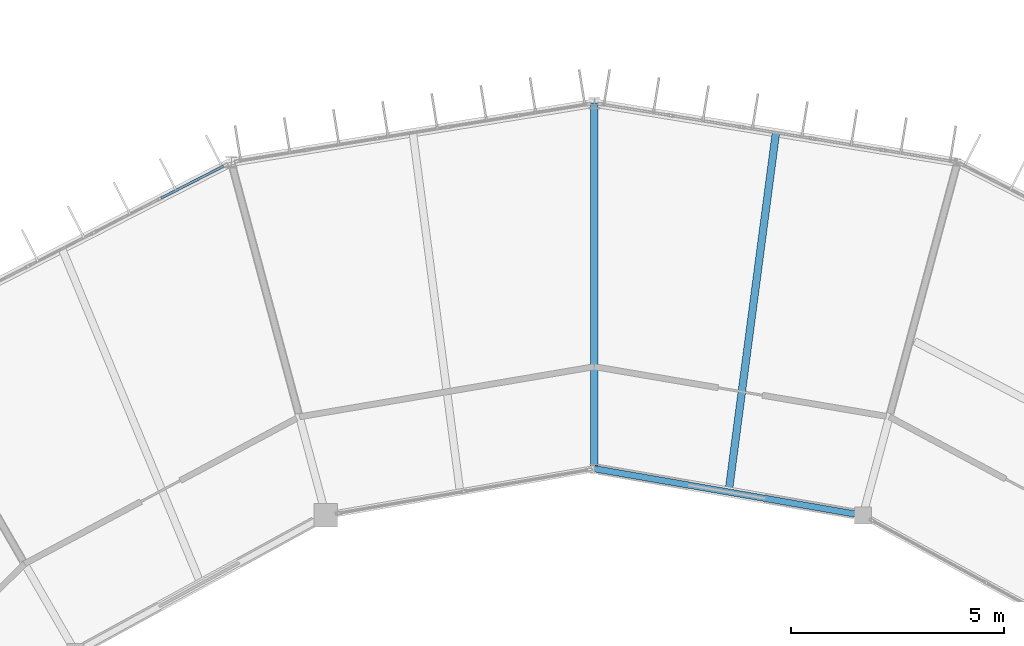
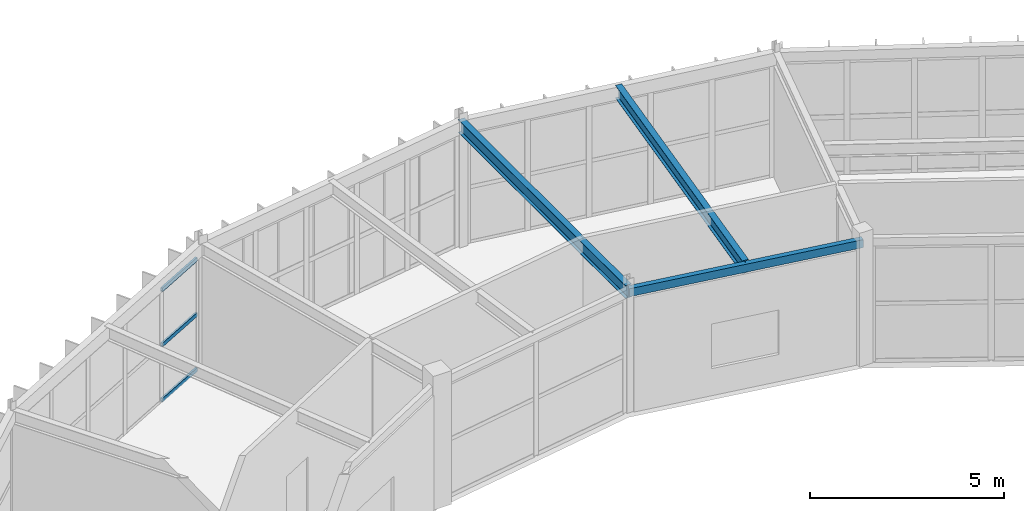
# One storey, part 63 of 106: 3 beams, 3 members, 1 element without a shape of its own.
"""IFC4 building model written with IfcOpenShell, lengths in metres."""

from ifc_helpers import new_model, si_unit, direction, frame, origin, origin_2d, place, context, subcontext, project, spatial, hollow_rectangle, i_section, extrude, material, material_profile, profile_set, type_object, element, aggregate, save


model = new_model("IFC4")

# Units and contexts
model_context = context("Model", 3, precision=1e-05, world=origin(), true_north=direction((0.0, 1.0)))
body_context = subcontext(model_context, "Body", "Model", "MODEL_VIEW")
ifc_project = project(units=[si_unit("LENGTHUNIT", "METRE"), si_unit("AREAUNIT", "SQUARE_METRE"), si_unit("VOLUMEUNIT", "CUBIC_METRE"), si_unit("PLANEANGLEUNIT", "RADIAN"), si_unit("MASSUNIT", "GRAM", prefix="KILO")], contexts=[model_context])

# Site, building, storey
site_placement = place(None, origin())
site = spatial("IfcSite", under=ifc_project, at=site_placement, CompositionType="ELEMENT")
building_placement = place(site_placement, origin())
building = spatial("IfcBuilding", under=site, at=building_placement, Name="Karori Crest Natural Sciences Institute", CompositionType="ELEMENT")
storey_placement = place(building_placement, frame((0.0, 0.0, 25.89990234375)))
storey = spatial("IfcBuildingStorey", under=building, at=storey_placement, Name="L06", CompositionType="ELEMENT", Elevation=25.89990234375)

# Beams
ifc_material_1 = material(Name="Structural steel AS/NZS 3679.1 Grade 350", Category="steel")
ifc_material_profile_1 = material_profile(ifc_material_1, i_section(OverallWidth=0.177978515625, OverallDepth=0.406005859375, WebThickness=0.0078125, FlangeThickness=0.0126953125, FilletRadius=0.010986328125, at=origin_2d()), Name="410UB59.7")
ifc_profile_set_1 = profile_set([ifc_material_profile_1], Name="Structural steel AS/NZS 3679.1 Grade 350")
beam_type_1 = type_object("IfcBeamType", Name="BT-07", PredefinedType="BEAM", material=ifc_profile_set_1)
beam_1_placement = place(storey_placement, frame((66.39990234375, 82.10009765625, 3.739990234375), z_axis=(0.0, 1.0, 0.0), x_axis=(-1.0, 0.0, 0.0)))
element("IfcBeam", 1, at=beam_1_placement, inside=storey, type_object=beam_type_1, Name="Beam B-0664", PredefinedType="BEAM", context=body_context, shape_type="SweptSolid", body=[
    extrude(i_section(OverallWidth=0.177978515625, OverallDepth=0.406005859375, WebThickness=0.0078125, FlangeThickness=0.0126953125, FilletRadius=0.010986328125, at=origin_2d()), origin(), (0.0, 0.0, 1.0), 8.599853515625),
])
beam_2_placement = place(storey_placement, frame((69.5576171875, 81.551513671875, 3.739990234375), z_axis=(0.130513027509, 0.991446594452, 0.0), x_axis=(-0.991446594452, 0.130513027509, 0.0)))
element("IfcBeam", 2, at=beam_2_placement, inside=storey, type_object=beam_type_1, Name="Beam B-2886", PredefinedType="BEAM", context=body_context, shape_type="SweptSolid", body=[
    extrude(i_section(OverallWidth=0.177978515625, OverallDepth=0.406005859375, WebThickness=0.0078125, FlangeThickness=0.0126953125, FilletRadius=0.010986328125, at=origin_2d()), origin(), (0.0, 0.0, 1.0), 8.5263671875),
])
ifc_material_2 = material(Name="Hollow structural steel AS/NZS 1163 Grade C350", Category="steel")
ifc_material_profile_2 = material_profile(ifc_material_2, hollow_rectangle(XDim=0.14990234375, YDim=0.25, WallThickness=0.009033203125, at=origin_2d()), Name="RHS250x150x9")
ifc_profile_set_2 = profile_set([ifc_material_profile_2], Name="Hollow structural steel AS/NZS 1163 Grade C350")
beam_type_2 = type_object("IfcBeamType", Name="BT-16", PredefinedType="SPANDREL", material=ifc_profile_set_2)
beam_3_placement = place(storey_placement, frame((72.715087890625, 81.002685546875, 3.739990234375), z_axis=(-0.985234948316, 0.171207758638, 0.0), x_axis=(-0.171207758638, -0.985234948316, 0.0)))
element("IfcBeam", 3, at=beam_3_placement, inside=storey, type_object=beam_type_2, Name="Beam B-0660", PredefinedType="SPANDREL", context=body_context, shape_type="SweptSolid", body=[
    extrude(hollow_rectangle(XDim=0.14990234375, YDim=0.25, WallThickness=0.009033203125, at=origin_2d()), origin(), (0.0, 0.0, 1.0), 6.409912109375),
])

# Curtain wall, members
ifc_material_3 = material(Name="Anodised architectural aluminium 6063-T6", Category="aluminium")
curtain_wall_type = type_object("IfcCurtainWallType", Name="CWT-08", PredefinedType="NOTDEFINED", material=ifc_material_3)
curtain_wall_placement = place(storey_placement, origin())
curtain_wall = element("IfcCurtainWall", 4, at=curtain_wall_placement, inside=storey, type_object=curtain_wall_type, Name="Curtain wall CW-0231", PredefinedType="NOTDEFINED")
ifc_material_profile_3 = material_profile(ifc_material_3, hollow_rectangle(XDim=0.06005859375, YDim=0.1201171875, WallThickness=0.00390625, at=origin_2d()), Name="CWT120x60x4")
ifc_profile_set_3 = profile_set([ifc_material_profile_3], Name="Anodised architectural aluminium 6063-T6")
member_type = type_object("IfcMemberType", Name="CWT-TR1", PredefinedType="USERDEFINED", material=ifc_profile_set_3)
member_1_placement = place(storey_placement, frame((56.2109375, 88.4658203125, 0.030029296875), z_axis=(0.890084461025, 0.455795625518, 0.0), x_axis=(-0.455795625518, 0.890084461025, 0.0)))
member_1 = element("IfcMember", 5, at=member_1_placement, type_object=member_type, Name="CW-0231 transom 5.1", ObjectType="TRANSOM", PredefinedType="USERDEFINED", context=body_context, shape_type="SweptSolid", body=[
    extrude(hollow_rectangle(XDim=0.06005859375, YDim=0.1201171875, WallThickness=0.00390625, at=origin_2d()), origin(), (0.0, 0.0, 1.0), 1.64599609375),
])
member_2_placement = place(storey_placement, frame((56.2109375, 88.4658203125, 1.7626953125), z_axis=(0.890084461025, 0.455795625518, 0.0), x_axis=(-0.455795625518, 0.890084461025, 0.0)))
member_2 = element("IfcMember", 6, at=member_2_placement, type_object=member_type, Name="CW-0231 transom 5.2", ObjectType="TRANSOM", PredefinedType="USERDEFINED", context=body_context, shape_type="SweptSolid", body=[
    extrude(hollow_rectangle(XDim=0.06005859375, YDim=0.1201171875, WallThickness=0.00390625, at=origin_2d()), origin(), (0.0, 0.0, 1.0), 1.64599609375),
])
member_3_placement = place(storey_placement, frame((56.2109375, 88.4658203125, 3.4951171875), z_axis=(0.890084461025, 0.455795625518, 0.0), x_axis=(-0.455795625518, 0.890084461025, 0.0)))
member_3 = element("IfcMember", 7, at=member_3_placement, type_object=member_type, Name="CW-0231 transom 5.3", ObjectType="TRANSOM", PredefinedType="USERDEFINED", context=body_context, shape_type="SweptSolid", body=[
    extrude(hollow_rectangle(XDim=0.06005859375, YDim=0.1201171875, WallThickness=0.00390625, at=origin_2d()), origin(), (0.0, 0.0, 1.0), 1.64599609375),
])
aggregate(curtain_wall, [member_1, member_2, member_3])

save(model, "model.ifc")
